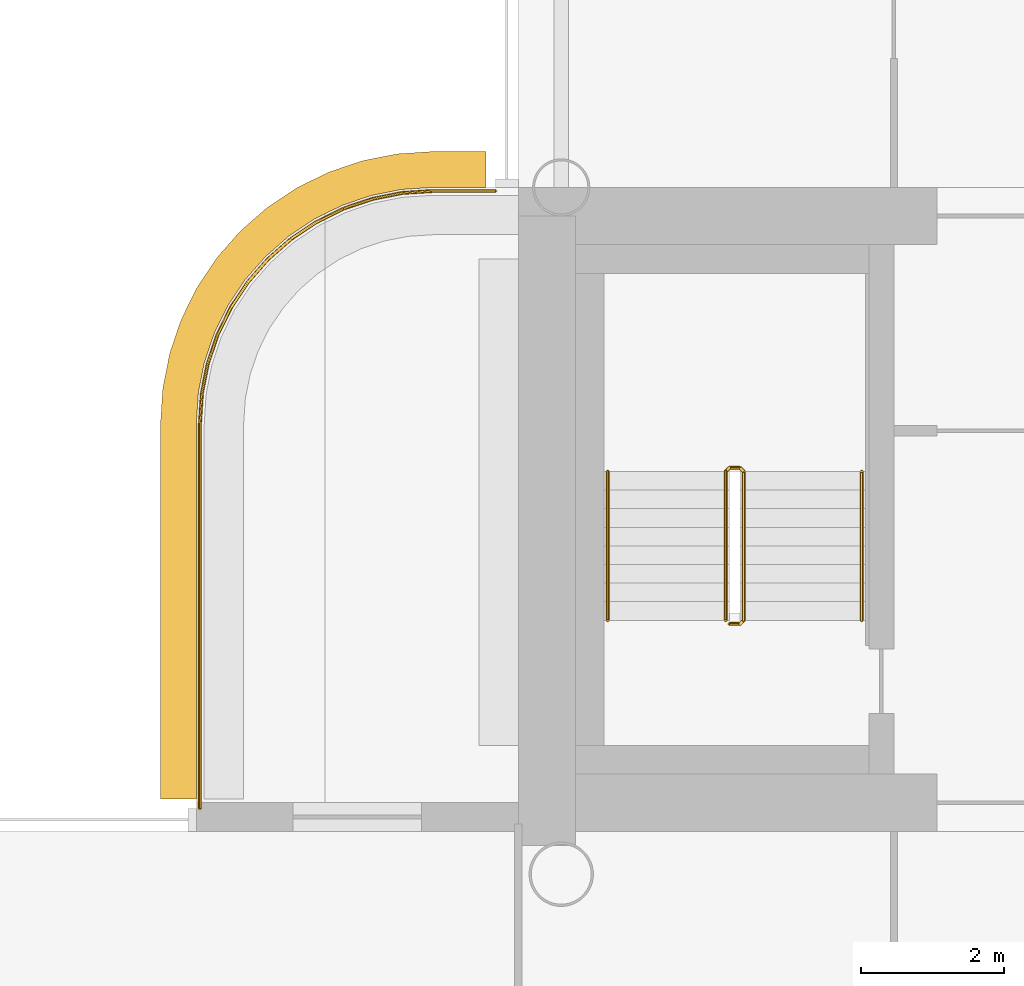
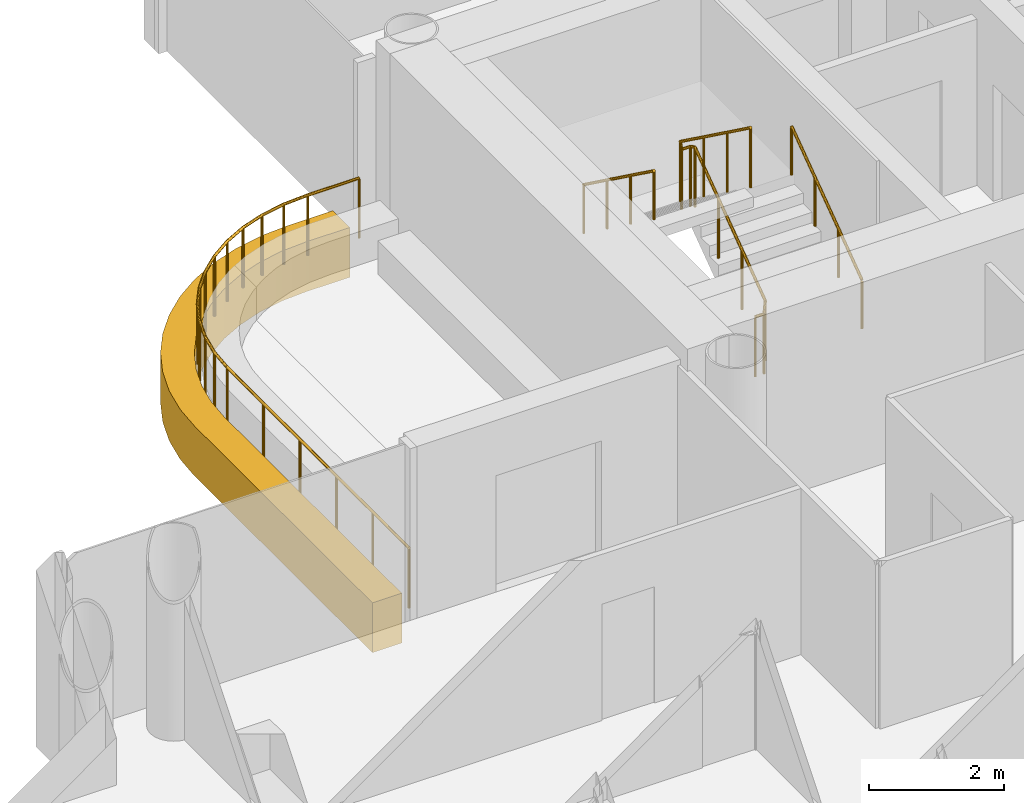
# One storey, part 18 of 19: 4 railings, 1 covering.
"""IFC4 building model written with IfcOpenShell, lengths in metres."""

from ifc_helpers import new_model, si_unit, direction, frame, origin, origin_2d, place, context, subcontext, project, spatial, polyline, circle, outline, extrude, material, layer, layer_set, type_object, element, save


model = new_model("IFC4")

# Units and contexts
model_context = context("Model", 3, precision=1e-05, world=origin(), true_north=direction((0.0, 1.0)))
body_context = subcontext(model_context, "Body", "Model", "MODEL_VIEW")
ifc_project = project(units=[si_unit("LENGTHUNIT", "METRE"), si_unit("AREAUNIT", "SQUARE_METRE"), si_unit("VOLUMEUNIT", "CUBIC_METRE"), si_unit("PLANEANGLEUNIT", "RADIAN"), si_unit("MASSUNIT", "GRAM", prefix="KILO")], contexts=[model_context])

# Site, building, storey
site_placement = place(None, origin())
site = spatial("IfcSite", under=ifc_project, at=site_placement, CompositionType="ELEMENT")
building_placement = place(site_placement, origin())
building = spatial("IfcBuilding", under=site, at=building_placement, Name="Ipe Terrace Towers", CompositionType="ELEMENT")
storey_placement = place(building_placement, frame((0.0, 0.0, 140.5)))
storey = spatial("IfcBuildingStorey", under=building, at=storey_placement, Name="L38", CompositionType="ELEMENT", Elevation=140.5)

# Railing
ifc_material_1 = material(Name="Stainless steel S316", Category="steel")
railing_type_1 = type_object("IfcRailingType", Name="GUARD 1100", PredefinedType="BALUSTRADE", material=ifc_material_1)
railing_1_placement = place(storey_placement, frame((28.929931640625, 15.699951171875, -0.02001953125)))
element("IfcRailing", 1, at=railing_1_placement, inside=storey, type_object=railing_type_1, Name="guard", PredefinedType="BALUSTRADE", context=body_context, shape_type="SweptSolid", body=[
    extrude(circle(Radius=0.02392578125, at=origin_2d()), frame((0.0, 0.0, 1.076171875), z_axis=(-1.0, 0.0, 0.0), x_axis=(0.0, -1.0, 0.0)), (0.0, 0.0, 1.0), 0.8779296875),
    extrude(circle(Radius=0.02392578125, at=origin_2d()), frame((-0.8779296875, 0.0, 1.076171875), z_axis=(-0.997872833927, -0.065190546171, 0.0), x_axis=(0.065190546171, -0.997872833927, 0.0)), (0.0, 0.0, 1.0), 0.427001953125),
    extrude(circle(Radius=0.02392578125, at=origin_2d()), frame((-1.303955078125, -0.02783203125, 1.076171875), z_axis=(-0.980756958892, -0.195232649896, 0.0), x_axis=(0.195232649896, -0.980756958892, 0.0)), (0.0, 0.0, 1.0), 0.42529296875),
    extrude(circle(Radius=0.02392578125, at=origin_2d()), frame((-1.720947265625, -0.11083984375, 1.076171875), z_axis=(-0.947355280148, -0.320184280026, 0.0), x_axis=(0.320184280026, -0.947355280148, 0.0)), (0.0, 0.0, 1.0), 0.425537109375),
    extrude(circle(Radius=0.02392578125, at=origin_2d()), frame((-2.1240234375, -0.2470703125, 1.076171875), z_axis=(-0.895801099535, -0.444455160923, 0.0), x_axis=(0.444455160923, -0.895801099535, 0.0)), (0.0, 0.0, 1.0), 0.425048828125),
    extrude(circle(Radius=0.02392578125, at=origin_2d()), frame((-2.5048828125, -0.43603515625, 1.076171875), z_axis=(-0.83151910003, -0.55549616226, 0.0), x_axis=(0.55549616226, -0.83151910003, 0.0)), (0.0, 0.0, 1.0), 0.424560546875),
    extrude(circle(Radius=0.02392578125, at=origin_2d()), frame((-2.85791015625, -0.671875, 1.076171875), z_axis=(-0.752612255774, -0.658463964434, 0.0), x_axis=(0.658463964434, -0.752612255774, 0.0)), (0.0, 0.0, 1.0), 0.42529296875),
    extrude(circle(Radius=0.02392578125, at=origin_2d()), frame((-3.177978515625, -0.951904296875, 1.076171875), z_axis=(-0.658463964434, -0.752612255774, 0.0), x_axis=(0.752612255774, -0.658463964434, 0.0)), (0.0, 0.0, 1.0), 0.42529296875),
    extrude(circle(Radius=0.02392578125, at=origin_2d()), frame((-3.4580078125, -1.27197265625, 1.076171875), z_axis=(-0.55549616226, -0.83151910003, 0.0), x_axis=(0.83151910003, -0.55549616226, 0.0)), (0.0, 0.0, 1.0), 0.424560546875),
    extrude(circle(Radius=0.02392578125, at=origin_2d()), frame((-3.69384765625, -1.625, 1.076171875), z_axis=(-0.444455160923, -0.895801099535, 0.0), x_axis=(0.895801099535, -0.444455160923, 0.0)), (0.0, 0.0, 1.0), 0.425048828125),
    extrude(circle(Radius=0.02392578125, at=origin_2d()), frame((-3.8828125, -2.005859375, 1.076171875), z_axis=(-0.320184280026, -0.947355280148, 0.0), x_axis=(0.947355280148, -0.320184280026, 0.0)), (0.0, 0.0, 1.0), 0.425537109375),
    extrude(circle(Radius=0.02392578125, at=origin_2d()), frame((-4.01904296875, -2.408935546875, 1.076171875), z_axis=(-0.195232649896, -0.980756958892, 0.0), x_axis=(0.980756958892, -0.195232649896, 0.0)), (0.0, 0.0, 1.0), 0.42529296875),
    extrude(circle(Radius=0.02392578125, at=origin_2d()), frame((-4.10205078125, -2.825927734375, 1.076171875), z_axis=(-0.065190546171, -0.997872833927, 0.0), x_axis=(0.997872833927, -0.065190546171, 0.0)), (0.0, 0.0, 1.0), 0.427001953125),
    extrude(circle(Radius=0.02392578125, at=origin_2d()), frame((-4.1298828125, -3.251953125, 1.076171875), z_axis=(0.0, -1.0, 0.0), x_axis=(1.0, 0.0, 0.0)), (0.0, 0.0, 1.0), 5.3779296875),
    extrude(circle(Radius=0.02099609375, at=origin_2d()), origin(), (0.0, 0.0, 1.0), 1.052001953125),
    extrude(circle(Radius=0.02099609375, at=origin_2d()), frame((-0.8779296875, 0.0, 0.0)), (0.0, 0.0, 1.0), 1.052001953125),
    extrude(circle(Radius=0.02099609375, at=origin_2d()), frame((-1.303955078125, -0.02783203125, 0.0)), (0.0, 0.0, 1.0), 1.052001953125),
    extrude(circle(Radius=0.02099609375, at=origin_2d()), frame((-1.720947265625, -0.11083984375, 0.0)), (0.0, 0.0, 1.0), 1.052001953125),
    extrude(circle(Radius=0.02099609375, at=origin_2d()), frame((-2.1240234375, -0.2470703125, 0.0)), (0.0, 0.0, 1.0), 1.052001953125),
    extrude(circle(Radius=0.02099609375, at=origin_2d()), frame((-2.5048828125, -0.43603515625, 0.0)), (0.0, 0.0, 1.0), 1.052001953125),
    extrude(circle(Radius=0.02099609375, at=origin_2d()), frame((-2.85791015625, -0.671875, 0.0)), (0.0, 0.0, 1.0), 1.052001953125),
    extrude(circle(Radius=0.02099609375, at=origin_2d()), frame((-3.177978515625, -0.951904296875, 0.0)), (0.0, 0.0, 1.0), 1.052001953125),
    extrude(circle(Radius=0.02099609375, at=origin_2d()), frame((-3.4580078125, -1.27197265625, 0.0)), (0.0, 0.0, 1.0), 1.052001953125),
    extrude(circle(Radius=0.02099609375, at=origin_2d()), frame((-3.69384765625, -1.625, 0.0)), (0.0, 0.0, 1.0), 1.052001953125),
    extrude(circle(Radius=0.02099609375, at=origin_2d()), frame((-3.8828125, -2.005859375, 0.0)), (0.0, 0.0, 1.0), 1.052001953125),
    extrude(circle(Radius=0.02099609375, at=origin_2d()), frame((-4.01904296875, -2.408935546875, 0.0)), (0.0, 0.0, 1.0), 1.052001953125),
    extrude(circle(Radius=0.02099609375, at=origin_2d()), frame((-4.10205078125, -2.825927734375, 0.0)), (0.0, 0.0, 1.0), 1.052001953125),
    extrude(circle(Radius=0.02099609375, at=origin_2d()), frame((-4.1298828125, -3.251953125, 0.0)), (0.0, 0.0, 1.0), 1.052001953125),
    extrude(circle(Radius=0.02099609375, at=origin_2d()), frame((-4.1298828125, -4.32763671875, 0.0)), (0.0, 0.0, 1.0), 1.052001953125),
    extrude(circle(Radius=0.02099609375, at=origin_2d()), frame((-4.1298828125, -5.403076171875, 0.0)), (0.0, 0.0, 1.0), 1.052001953125),
    extrude(circle(Radius=0.02099609375, at=origin_2d()), frame((-4.1298828125, -6.478759765625, 0.0)), (0.0, 0.0, 1.0), 1.052001953125),
    extrude(circle(Radius=0.02099609375, at=origin_2d()), frame((-4.1298828125, -7.55419921875, 0.0)), (0.0, 0.0, 1.0), 1.052001953125),
    extrude(circle(Radius=0.02099609375, at=origin_2d()), frame((-4.1298828125, -8.6298828125, 0.0)), (0.0, 0.0, 1.0), 1.052001953125),
])

# Covering
ifc_material_2 = material(Name="Concrete C50/60 precast, buff finish", Category="concrete")
ifc_layer = layer(ifc_material_2, 0.5)
ifc_layer_set = layer_set([ifc_layer], Name="STONE EDGE BAND 500 x 900")
covering_type = type_object("IfcCoveringType", Name="STONE EDGE BAND 500 x 900", PredefinedType="CLADDING", material=ifc_layer_set)
covering_placement = place(storey_placement, frame((0.0, 0.0, -0.719970703125)))
element("IfcCovering", 2, at=covering_placement, inside=storey, type_object=covering_type, Name="stone edge band", PredefinedType="CLADDING", context=body_context, shape_type="SweptSolid", body=[
    extrude(outline(polyline([(24.25, 12.449951171875), (24.25, 7.199951171875), (24.75, 7.199951171875), (24.75, 12.449951171875), (24.778076171875, 12.881103515625), (24.862060546875, 13.303955078125), (25.0009765625, 13.712890625), (25.19189453125, 14.10009765625), (25.431884765625, 14.458984375), (25.717041015625, 14.782958984375), (26.041015625, 15.068115234375), (26.39990234375, 15.30810546875), (26.787109375, 15.4990234375), (27.196044921875, 15.637939453125), (27.618896484375, 15.721923828125), (28.050048828125, 15.75), (28.800048828125, 15.75), (28.800048828125, 16.25), (28.050048828125, 16.25), (28.01708984375, 16.2490234375), (27.5869140625, 16.220947265625), (27.52197265625, 16.2119140625), (27.097900390625, 16.1279296875), (27.034912109375, 16.111083984375), (26.6259765625, 15.971923828125), (26.56591796875, 15.947021484375), (26.178955078125, 15.756103515625), (26.1220703125, 15.72412109375), (25.762939453125, 15.48388671875), (25.7109375, 15.444091796875), (25.386962890625, 15.158935546875), (25.341064453125, 15.113037109375), (25.055908203125, 14.7890625), (25.01611328125, 14.737060546875), (24.77587890625, 14.3779296875), (24.743896484375, 14.321044921875), (24.552978515625, 13.93408203125), (24.528076171875, 13.8740234375), (24.388916015625, 13.465087890625), (24.3720703125, 13.402099609375), (24.2880859375, 12.97802734375), (24.279052734375, 12.9130859375), (24.2509765625, 12.48291015625), (24.25, 12.449951171875)])), origin(), (0.0, 0.0, 1.0), 0.89990234375),
])

# Railings
ifc_material_3 = material(Name="Steel S355", Category="steel")
railing_type_2 = type_object("IfcRailingType", Name="Stair guard 1100", PredefinedType="GUARDRAIL", material=ifc_material_3)
railing_2_placement = place(storey_placement, frame((32.199951171875, 9.64990234375, 0.0)))
element("IfcRailing", 3, at=railing_2_placement, inside=storey, type_object=railing_type_2, Name="L38 T2-ST1 stair guard 1", PredefinedType="GUARDRAIL", context=body_context, shape_type="SweptSolid", body=[
    extrude(circle(Radius=0.02392578125, at=origin_2d()), frame((0.0, 0.0, 1.076171875), z_axis=(1.0, 0.0, 0.0), x_axis=(0.0, 1.0, 0.0)), (0.0, 0.0, 1.0), 0.150146484375),
    extrude(circle(Radius=0.02392578125, at=origin_2d()), frame((0.150146484375, 0.0, 1.076171875), z_axis=(0.246893586699, 0.248103849378, 0.936743314239), x_axis=(-0.708833529934, 0.705375805398, 0.0)), (0.0, 0.0, 1.0), 0.20166015625),
    extrude(circle(Radius=0.02392578125, at=origin_2d()), frame((0.199951171875, 0.050048828125, 1.26513671875), z_axis=(0.0, 0.809068575486, 0.587714250432), x_axis=(-1.0, 0.0, 0.0)), (0.0, 0.0, 1.0), 2.571044921875),
    extrude(circle(Radius=0.02392578125, at=origin_2d()), frame((0.199951171875, 2.130126953125, 2.77587890625), z_axis=(-0.705375805398, 0.708833529934, 0.0), x_axis=(-0.708833529934, -0.705375805398, 0.0)), (0.0, 0.0, 1.0), 0.070556640625),
    extrude(circle(Radius=0.02392578125, at=origin_2d()), frame((0.150146484375, 2.18017578125, 2.77587890625), z_axis=(-1.0, 0.0, 0.0), x_axis=(0.0, -1.0, 0.0)), (0.0, 0.0, 1.0), 0.150146484375),
    extrude(circle(Radius=0.02392578125, at=origin_2d()), frame((0.0, 2.18017578125, 2.77587890625), z_axis=(-0.248029566107, -0.248029566107, 0.936462849596), x_axis=(0.707106781187, -0.707106781187, 0.0)), (0.0, 0.0, 1.0), 0.201904296875),
    extrude(circle(Radius=0.02392578125, at=origin_2d()), frame((-0.050048828125, 2.130126953125, 2.96484375), z_axis=(0.0, -0.809068575486, 0.587714250432), x_axis=(1.0, 0.0, 0.0)), (0.0, 0.0, 1.0), 2.571044921875),
    extrude(circle(Radius=0.02099609375, at=origin_2d()), origin(), (0.0, 0.0, 1.0), 1.052001953125),
    extrude(circle(Radius=0.02099609375, at=origin_2d()), frame((0.150146484375, 0.0, 0.0)), (0.0, 0.0, 1.0), 1.052001953125),
    extrude(circle(Radius=0.02099609375, at=origin_2d()), frame((0.199951171875, 0.050048828125, 0.18896484375)), (0.0, 0.0, 1.0), 1.052001953125),
    extrude(circle(Radius=0.02099609375, at=origin_2d()), frame((0.199951171875, 0.743408203125, 0.692626953125)), (0.0, 0.0, 1.0), 1.052001953125),
    extrude(circle(Radius=0.02099609375, at=origin_2d()), frame((0.199951171875, 1.436767578125, 1.1962890625)), (0.0, 0.0, 1.0), 1.052001953125),
    extrude(circle(Radius=0.02099609375, at=origin_2d()), frame((0.199951171875, 2.130126953125, 1.699951171875)), (0.0, 0.0, 1.0), 1.052001953125),
    extrude(circle(Radius=0.02099609375, at=origin_2d()), frame((0.150146484375, 2.18017578125, 1.699951171875)), (0.0, 0.0, 1.0), 1.052001953125),
    extrude(circle(Radius=0.02099609375, at=origin_2d()), frame((0.0, 2.18017578125, 1.699951171875)), (0.0, 0.0, 1.0), 1.052001953125),
    extrude(circle(Radius=0.02099609375, at=origin_2d()), frame((-0.050048828125, 2.130126953125, 1.888916015625)), (0.0, 0.0, 1.0), 1.052001953125),
    extrude(circle(Radius=0.02099609375, at=origin_2d()), frame((-0.050048828125, 1.436767578125, 2.392578125)), (0.0, 0.0, 1.0), 1.052001953125),
    extrude(circle(Radius=0.02099609375, at=origin_2d()), frame((-0.050048828125, 0.743408203125, 2.896240234375)), (0.0, 0.0, 1.0), 1.052001953125),
    extrude(circle(Radius=0.02099609375, at=origin_2d()), frame((-0.050048828125, 0.050048828125, 3.39990234375)), (0.0, 0.0, 1.0), 1.052001953125),
])
ifc_material_4 = material(Name="Stainless steel grade 304", Category="steel")
railing_type_3 = type_object("IfcRailingType", Name="Stair handrail 900", PredefinedType="HANDRAIL", material=ifc_material_4)
railing_3_placement = place(storey_placement, frame((34.050048828125, 9.699951171875, 0.18896484375)))
element("IfcRailing", 4, at=railing_3_placement, inside=storey, type_object=railing_type_3, Name="L38 T2-ST1 stair handrail 1", PredefinedType="HANDRAIL", context=body_context, shape_type="SweptSolid", body=[
    extrude(circle(Radius=0.02392578125, at=origin_2d()), frame((0.0, 0.0, 0.8759765625), z_axis=(0.0, 0.809068575486, 0.587714250432), x_axis=(-1.0, 0.0, 0.0)), (0.0, 0.0, 1.0), 2.571044921875),
    extrude(circle(Radius=0.02099609375, at=origin_2d()), origin(), (0.0, 0.0, 1.0), 0.851806640625),
    extrude(circle(Radius=0.02099609375, at=origin_2d()), frame((0.0, 0.693359375, 0.503662109375)), (0.0, 0.0, 1.0), 0.851806640625),
    extrude(circle(Radius=0.02099609375, at=origin_2d()), frame((0.0, 1.38671875, 1.00732421875)), (0.0, 0.0, 1.0), 0.851806640625),
    extrude(circle(Radius=0.02099609375, at=origin_2d()), frame((0.0, 2.080078125, 1.510986328125)), (0.0, 0.0, 1.0), 0.851806640625),
])
railing_4_placement = place(storey_placement, frame((30.5, 11.780029296875, 1.888916015625)))
element("IfcRailing", 5, at=railing_4_placement, inside=storey, type_object=railing_type_3, Name="L38 T2-ST1 stair handrail 2", PredefinedType="HANDRAIL", context=body_context, shape_type="SweptSolid", body=[
    extrude(circle(Radius=0.02392578125, at=origin_2d()), frame((0.0, 0.0, 0.8759765625), z_axis=(0.0, -0.809068575486, 0.587714250432), x_axis=(1.0, 0.0, 0.0)), (0.0, 0.0, 1.0), 2.571044921875),
    extrude(circle(Radius=0.02099609375, at=origin_2d()), origin(), (0.0, 0.0, 1.0), 0.851806640625),
    extrude(circle(Radius=0.02099609375, at=origin_2d()), frame((0.0, -0.693359375, 0.503662109375)), (0.0, 0.0, 1.0), 0.851806640625),
    extrude(circle(Radius=0.02099609375, at=origin_2d()), frame((0.0, -1.38671875, 1.00732421875)), (0.0, 0.0, 1.0), 0.851806640625),
    extrude(circle(Radius=0.02099609375, at=origin_2d()), frame((0.0, -2.080078125, 1.510986328125)), (0.0, 0.0, 1.0), 0.851806640625),
])

save(model, "model.ifc")
